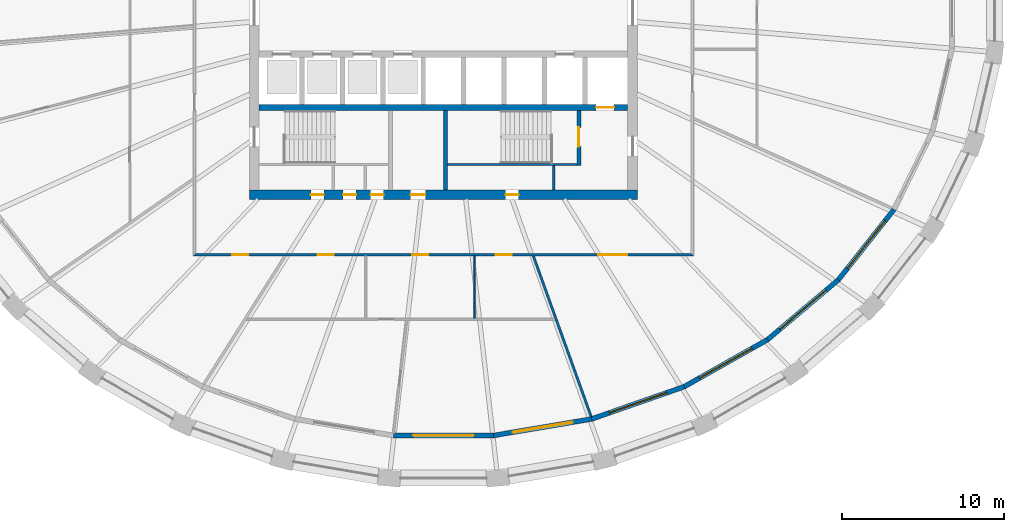
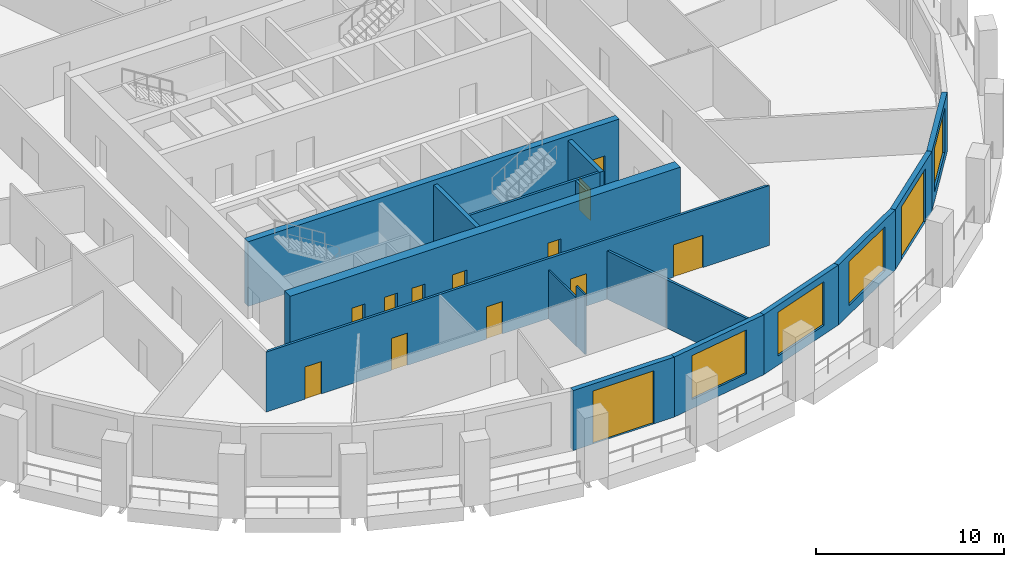
# One storey, part 4 of 11: 16 walls, 14 doors, 4 windows, 18 openings.
"""IFC4 building model written with IfcOpenShell, lengths in metres."""

import ifcopenshell
import ifcopenshell.guid

model = None  # the IFC model being written
_history = None  # IfcOwnerHistory: only IFC2X3 demands one
_inside = {}  # id of a spatial element -> (the spatial element, [elements in it])
_under = {}  # id of a project, library or spatial element -> (it, [spatial elements below it])
_declared = {}  # id of a project -> (the project, [libraries it declares])
_typed = {}  # id of a type object -> (the type object, [elements of that type])
_made_of = {}  # id of a material, layer set ... -> (it, [elements and type objects made of it])


def new_model(schema):
    """Start an empty IFC model of exactly this schema.

    Asked for "IFC4X3", IfcOpenShell would pick the latest addendum, in which some entities
    have other attributes; the version numbers below select the first issue.
    IFC2X3 requires an IfcOwnerHistory on every rooted entity: one is made here for all.
    """
    global model, _history
    if schema == "IFC4X3":
        model = ifcopenshell.file(schema_version=(4, 3, 0, 0))
    else:
        model = ifcopenshell.file(schema=schema)
    _inside.clear()
    _under.clear()
    _declared.clear()
    _typed.clear()
    _made_of.clear()
    _history = None
    if model.schema == "IFC2X3":
        org = make("IfcOrganization", Name="unknown")
        user = make(
            "IfcPersonAndOrganization",
            ThePerson=make("IfcPerson", FamilyName="unknown"),
            TheOrganization=org,
        )
        app = make(
            "IfcApplication",
            ApplicationDeveloper=org,
            Version="unknown",
            ApplicationFullName="unknown",
            ApplicationIdentifier="unknown",
        )
        _history = make(
            "IfcOwnerHistory",
            OwningUser=user,
            OwningApplication=app,
            ChangeAction="ADDED",
            CreationDate=0,
        )
    return model


def make(cls, **values):
    """One entity of the class cls with the attributes given. An attribute that is None is left unset."""
    return model.create_entity(
        cls, **{name: value for name, value in values.items() if value is not None}
    )


def rooted(cls, **values):
    """An entity with a GlobalId (a new one), such as an element, a storey or a relation."""
    return make(cls, GlobalId=ifcopenshell.guid.new(), OwnerHistory=_history, **values)


def si_unit(unit_type, name, prefix=None):
    """IfcSIUnit, for example si_unit("LENGTHUNIT", "METRE", prefix="MILLI")."""
    return make("IfcSIUnit", UnitType=unit_type, Prefix=prefix, Name=name)


def assignment(units):
    """IfcUnitAssignment: the units of a project."""
    return None if units is None else make("IfcUnitAssignment", Units=units)


def point(xyz):
    """IfcCartesianPoint."""
    return None if xyz is None else make("IfcCartesianPoint", Coordinates=xyz)


def direction(xyz):
    """IfcDirection."""
    return None if xyz is None else make("IfcDirection", DirectionRatios=xyz)


def frame(location, z_axis=None, x_axis=None):
    """IfcAxis2Placement3D, a coordinate frame: its origin and axes. An axis left out is left unset."""
    return make(
        "IfcAxis2Placement3D",
        Location=point(location),
        Axis=direction(z_axis),
        RefDirection=direction(x_axis),
    )


def frame_2d(location, x_axis=None):
    """IfcAxis2Placement2D, a coordinate frame in the plane: its origin and x axis."""
    return make(
        "IfcAxis2Placement2D", Location=point(location), RefDirection=direction(x_axis)
    )


def origin():
    """The frame at (0, 0, 0) with its axes left unset."""
    return frame((0.0, 0.0, 0.0))


def place(relative_to, where):
    """IfcLocalPlacement: puts the frame where relative to a parent placement (None: the world)."""
    return make(
        "IfcLocalPlacement", PlacementRelTo=relative_to, RelativePlacement=where
    )


def context(
    kind, dimensions, precision=None, world=None, true_north=None, identifier=None
):
    """IfcGeometricRepresentationContext, for example the 3D "Model" context."""
    return make(
        "IfcGeometricRepresentationContext",
        ContextIdentifier=identifier,
        ContextType=kind,
        CoordinateSpaceDimension=dimensions,
        Precision=precision,
        WorldCoordinateSystem=world,
        TrueNorth=true_north,
    )


def subcontext(parent, identifier, kind, view, scale=None):
    """IfcGeometricRepresentationSubContext, for example "Body" below "Model"."""
    return make(
        "IfcGeometricRepresentationSubContext",
        ContextIdentifier=identifier,
        ContextType=kind,
        ParentContext=parent,
        TargetScale=scale,
        TargetView=view,
    )


def project(units=None, contexts=None):
    """IfcProject with its units and contexts."""
    return rooted(
        "IfcProject",
        Name="project",
        RepresentationContexts=contexts,
        UnitsInContext=assignment(units),
    )


def spatial(cls, under=None, at=None, **own):
    """A site, building, storey or space (cls), placed at a placement, below another one or the project."""
    s = rooted(cls, ObjectPlacement=at, **own)
    if under is not None:
        _under.setdefault(under.id(), (under, []))[1].append(s)
    return s


def polyline(points):
    """IfcPolyline through the points."""
    return make("IfcPolyline", Points=[point(p) for p in points])


def profile(cls, at=None, kind="AREA", **sizes):
    """A parametric profile (cls). Its sizes go by their IFC names, for example OverallWidth=200.0."""
    return make(cls, ProfileType=kind, Position=at, **sizes)


def rectangle(**sizes):
    """IfcRectangleProfileDef."""
    return profile("IfcRectangleProfileDef", **sizes)


def outline(outer, holes=None, kind="AREA"):
    """IfcArbitraryClosedProfileDef: a profile drawn as a closed curve; with holes, ...WithVoids."""
    if holes is None:
        return make("IfcArbitraryClosedProfileDef", ProfileType=kind, OuterCurve=outer)
    return make(
        "IfcArbitraryProfileDefWithVoids",
        ProfileType=kind,
        OuterCurve=outer,
        InnerCurves=holes,
    )


def extrude(swept, where, along, depth):
    """IfcExtrudedAreaSolid: the profile swept, set in the frame where, extruded along a direction by depth."""
    return make(
        "IfcExtrudedAreaSolid",
        SweptArea=swept,
        Position=where,
        ExtrudedDirection=direction(along),
        Depth=depth,
    )


def shape(context_of_items, identifier, shape_type, items):
    """IfcShapeRepresentation: the items that make up one representation, for example the "Body"."""
    return make(
        "IfcShapeRepresentation",
        ContextOfItems=context_of_items,
        RepresentationIdentifier=identifier,
        RepresentationType=shape_type,
        Items=items,
    )


def material(Name=None, Category=None):
    """IfcMaterial."""
    return make("IfcMaterial", Name=Name, Category=Category)


def layer(
    of_material, thickness, ventilated=None, Name=None, Category=None, Priority=None
):
    """IfcMaterialLayer: one layer of a wall or slab, of a material (None: an air gap)."""
    return make(
        "IfcMaterialLayer",
        Material=of_material,
        LayerThickness=thickness,
        IsVentilated=ventilated,
        Name=Name,
        Category=Category,
        Priority=Priority,
    )


def layer_set(layers, Name=None):
    """IfcMaterialLayerSet."""
    return make("IfcMaterialLayerSet", MaterialLayers=layers, LayerSetName=Name)


def made_of(thing, what):
    """Note that an element or type object is made of a material, layer set ...; save() writes the relation."""
    if what is not None:
        _made_of.setdefault(what.id(), (what, []))[1].append(thing)
    return thing


def type_object(cls, material=None, **own):
    """A type object (cls), such as IfcWallType, which elements share."""
    return made_of(rooted(cls, **own), material)


def element(
    cls,
    number,
    at=None,
    inside=None,
    cuts=None,
    type_object=None,
    material=None,
    context=None,
    identifier="Body",
    shape_type=None,
    held_by="IfcProductDefinitionShape",
    body=None,
    shapes=None,
    **own,
):
    """One element of the class cls, such as IfcWall. Its Tag is "e" and its number.

    at: its placement. inside: the storey or other place that contains it. cuts: it is an
    opening in that element (IfcRelVoidsElement). A single representation is given by context,
    identifier, shape_type and body (its items); several are given by shapes. held_by: the class
    of the entity that holds the representations. save() writes the other relations.
    """
    e = rooted(cls, Tag="e%d" % number, ObjectPlacement=at, **own)
    if body is not None:
        shapes = [shape(context, identifier, shape_type, body)]
    if shapes is not None:
        e.Representation = make(held_by, Representations=shapes)
    if inside is not None:
        _inside.setdefault(inside.id(), (inside, []))[1].append(e)
    if cuts is not None:
        rooted(
            "IfcRelVoidsElement", RelatingBuildingElement=cuts, RelatedOpeningElement=e
        )
    if type_object is not None:
        _typed.setdefault(type_object.id(), (type_object, []))[1].append(e)
    return made_of(e, material)


def fill(opening, filler):
    """IfcRelFillsElement: the door or window that sits in an opening."""
    return rooted(
        "IfcRelFillsElement",
        RelatingOpeningElement=opening,
        RelatedBuildingElement=filler,
    )


def aggregate(whole, parts):
    """IfcRelAggregates: a whole, such as a stair, and the parts it consists of."""
    return rooted("IfcRelAggregates", RelatingObject=whole, RelatedObjects=parts)


def save(model, path):
    """Write the relations noted so far, then the file.

    IfcRelAggregates (storeys below a building ...), IfcRelContainedInSpatialStructure (elements
    in a storey), IfcRelDefinesByType, IfcRelAssociatesMaterial and IfcRelDeclares: one each for
    every whole, place, type object, material and project.
    """
    for whole, parts in _under.values():
        aggregate(whole, parts)
    for where, things in _inside.values():
        rooted(
            "IfcRelContainedInSpatialStructure",
            RelatedElements=things,
            RelatingStructure=where,
        )
    for kind, things in _typed.values():
        rooted("IfcRelDefinesByType", RelatedObjects=things, RelatingType=kind)
    for what, things in _made_of.values():
        rooted("IfcRelAssociatesMaterial", RelatedObjects=things, RelatingMaterial=what)
    for by, libraries in _declared.values():
        rooted("IfcRelDeclares", RelatingContext=by, RelatedDefinitions=libraries)
    model.write(path)


model = new_model("IFC4")

# Units and contexts
model_context = context("Model", 3, precision=1e-05, world=origin(), true_north=direction((0.0, 1.0)))
body_context = subcontext(model_context, "Body", "Model", "MODEL_VIEW")
ifc_project = project(units=[si_unit("LENGTHUNIT", "METRE"), si_unit("AREAUNIT", "SQUARE_METRE"), si_unit("VOLUMEUNIT", "CUBIC_METRE"), si_unit("PLANEANGLEUNIT", "RADIAN"), si_unit("MASSUNIT", "GRAM", prefix="KILO")], contexts=[model_context])

# Site, building, storey
site_placement = place(None, origin())
site = spatial("IfcSite", under=ifc_project, at=site_placement, CompositionType="ELEMENT")
building_placement = place(site_placement, origin())
building = spatial("IfcBuilding", under=site, at=building_placement, Name="Halqa Exchange Tower", CompositionType="ELEMENT")
storey_placement = place(building_placement, frame((0.0, 0.0, 142.300048828125)))
storey = spatial("IfcBuildingStorey", under=building, at=storey_placement, Name="L32", CompositionType="ELEMENT", Elevation=142.300048828125)

# Wall, openings, doors
ifc_material_1 = material(Name="Fire-rated gypsum board")
ifc_layer_1 = layer(ifc_material_1, 0.14990234375)
ifc_layer_set_1 = layer_set([ifc_layer_1], Name="Fire-rated gypsum board")
wall_type_1 = type_object("IfcWallType", Name="Fire partition EI 60 150", PredefinedType="PARTITIONING", material=ifc_layer_set_1)
wall_1_placement = place(storey_placement, frame((-15.47509765625, -15.39990234375, 0.0), z_axis=(0.0, 0.0, 1.0), x_axis=(1.0, 0.0, 0.0)))
wall_1 = element("IfcWall", 1, at=wall_1_placement, inside=storey, type_object=wall_type_1, Name="L32-PWL-008", PredefinedType="PARTITIONING", context=body_context, shape_type="SweptSolid", body=[
    extrude(outline(polyline([(0.000244140625, -0.074951171875), (1.9345703125, -0.074951171875), (3.868896484375, -0.074951171875), (5.80322265625, -0.074951171875), (7.73779296875, -0.074951171875), (9.672119140625, -0.074951171875), (11.6064453125, -0.074951171875), (13.540771484375, -0.074951171875), (15.47509765625, -0.074951171875), (17.409423828125, -0.074951171875), (19.34375, -0.074951171875), (21.278076171875, -0.074951171875), (23.21240234375, -0.074951171875), (25.14697265625, -0.074951171875), (27.081298828125, -0.074951171875), (29.015625, -0.074951171875), (30.949951171875, -0.074951171875), (30.800048828125, 0.074951171875), (28.884521484375, 0.074951171875), (26.96875, 0.074951171875), (25.05322265625, 0.074951171875), (23.1376953125, 0.074951171875), (21.221923828125, 0.074951171875), (19.306396484375, 0.074951171875), (17.390625, 0.074951171875), (15.47509765625, 0.074951171875), (13.5595703125, 0.074951171875), (11.643798828125, 0.074951171875), (9.728271484375, 0.074951171875), (7.8125, 0.074951171875), (5.89697265625, 0.074951171875), (3.9814453125, 0.074951171875), (2.065673828125, 0.074951171875), (0.150146484375, 0.074951171875), (0.000244140625, -0.074951171875)])), origin(), (0.0, 0.0, 1.0), 3.89990234375),
])
opening_1_placement = place(wall_1_placement, frame((2.39990234375, 0.0, 0.0)))
opening_1 = element("IfcOpeningElement", 2, at=opening_1_placement, cuts=wall_1, Name="Opening 10-11", PredefinedType="OPENING", context=body_context, shape_type="SweptSolid", body=[
    extrude(rectangle(XDim=1.0, YDim=2.10009765625, at=frame_2d((0.5, 1.050048828125))), frame((0.0, 0.0869140625, 0.0), z_axis=(0.0, -1.0, 0.0), x_axis=(1.0, 0.0, 0.0)), (0.0, 0.0, 1.0), 0.173828125),
])
opening_2_placement = place(wall_1_placement, frame((18.705078125, 0.0, 0.0)))
opening_2 = element("IfcOpeningElement", 3, at=opening_2_placement, cuts=wall_1, Name="Opening 10-12", PredefinedType="OPENING", context=body_context, shape_type="SweptSolid", body=[
    extrude(rectangle(XDim=1.0, YDim=2.10009765625, at=frame_2d((0.5, 1.050048828125))), frame((0.0, 0.0869140625, 0.0), z_axis=(0.0, -1.0, 0.0), x_axis=(1.0, 0.0, 0.0)), (0.0, 0.0, 1.0), 0.173828125),
])
opening_3_placement = place(wall_1_placement, frame((13.534912109375, 0.0, 0.0)))
opening_3 = element("IfcOpeningElement", 4, at=opening_3_placement, cuts=wall_1, Name="Opening 10-13", PredefinedType="OPENING", context=body_context, shape_type="SweptSolid", body=[
    extrude(rectangle(XDim=1.0, YDim=2.10009765625, at=frame_2d((0.5, 1.050048828125))), frame((0.0, 0.0869140625, 0.0), z_axis=(0.0, -1.0, 0.0), x_axis=(1.0, 0.0, 0.0)), (0.0, 0.0, 1.0), 0.173828125),
])
opening_4_placement = place(wall_1_placement, frame((7.695068359375, 0.0, 0.0)))
opening_4 = element("IfcOpeningElement", 5, at=opening_4_placement, cuts=wall_1, Name="Opening 10-14", PredefinedType="OPENING", context=body_context, shape_type="SweptSolid", body=[
    extrude(rectangle(XDim=1.0, YDim=2.10009765625, at=frame_2d((0.5, 1.050048828125))), frame((0.0, 0.0869140625, 0.0), z_axis=(0.0, -1.0, 0.0), x_axis=(1.0, 0.0, 0.0)), (0.0, 0.0, 1.0), 0.173828125),
])
opening_5_placement = place(wall_1_placement, frame((25.0400390625, 0.0, 0.0)))
opening_5 = element("IfcOpeningElement", 6, at=opening_5_placement, cuts=wall_1, Name="Opening 10-15", PredefinedType="OPENING", context=body_context, shape_type="SweptSolid", body=[
    extrude(rectangle(XDim=1.800048828125, YDim=2.10009765625, at=frame_2d((0.89990234375, 1.050048828125))), frame((0.0, 0.0869140625, 0.0), z_axis=(0.0, -1.0, 0.0), x_axis=(1.0, 0.0, 0.0)), (0.0, 0.0, 1.0), 0.173828125),
])
ifc_material_2 = material(Name="Steel fire door leaf", Category="steel")
door_type_1 = type_object("IfcDoorType", Name="Fire door FD30S 1000 x 2100", OperationType="SINGLE_SWING_LEFT", PredefinedType="DOOR", material=ifc_material_2)
door_1_placement = place(opening_1_placement, frame((1.0, 0.0, 0.0), z_axis=(0.0, 0.0, 1.0), x_axis=(-1.0, 0.0, 0.0)))
door_1 = element("IfcDoor", 7, at=door_1_placement, inside=storey, type_object=door_type_1, Name="L32-IDR-011", OperationType="SINGLE_SWING_RIGHT", OverallHeight=2.10009765625, OverallWidth=1.0, PredefinedType="DOOR", context=body_context, shape_type="SweptSolid", body=[
    extrude(rectangle(XDim=1.0, YDim=2.10009765625, at=frame_2d((0.5, 1.050048828125))), frame((0.0, 0.02490234375, 0.0), z_axis=(0.0, -1.0, 0.0), x_axis=(1.0, 0.0, 0.0)), (0.0, 0.0, 1.0), 0.050048828125),
])
fill(opening_1, door_1)
door_2_placement = place(opening_2_placement, frame((1.0, 0.0, 0.0), z_axis=(0.0, 0.0, 1.0), x_axis=(-1.0, 0.0, 0.0)))
door_2 = element("IfcDoor", 8, at=door_2_placement, inside=storey, type_object=door_type_1, Name="L32-IDR-012", OperationType="SINGLE_SWING_RIGHT", OverallHeight=2.10009765625, OverallWidth=1.0, PredefinedType="DOOR", context=body_context, shape_type="SweptSolid", body=[
    extrude(rectangle(XDim=1.0, YDim=2.10009765625, at=frame_2d((0.5, 1.050048828125))), frame((0.0, 0.02490234375, 0.0), z_axis=(0.0, -1.0, 0.0), x_axis=(1.0, 0.0, 0.0)), (0.0, 0.0, 1.0), 0.050048828125),
])
fill(opening_2, door_2)
door_3_placement = place(opening_3_placement, frame((1.0, 0.0, 0.0), z_axis=(0.0, 0.0, 1.0), x_axis=(-1.0, 0.0, 0.0)))
door_3 = element("IfcDoor", 9, at=door_3_placement, inside=storey, type_object=door_type_1, Name="L32-IDR-013", OperationType="SINGLE_SWING_RIGHT", OverallHeight=2.10009765625, OverallWidth=1.0, PredefinedType="DOOR", context=body_context, shape_type="SweptSolid", body=[
    extrude(rectangle(XDim=1.0, YDim=2.10009765625, at=frame_2d((0.5, 1.050048828125))), frame((0.0, 0.02490234375, 0.0), z_axis=(0.0, -1.0, 0.0), x_axis=(1.0, 0.0, 0.0)), (0.0, 0.0, 1.0), 0.050048828125),
])
fill(opening_3, door_3)
door_4_placement = place(opening_4_placement, frame((1.0, 0.0, 0.0), z_axis=(0.0, 0.0, 1.0), x_axis=(-1.0, 0.0, 0.0)))
door_4 = element("IfcDoor", 10, at=door_4_placement, inside=storey, type_object=door_type_1, Name="L32-IDR-014", OperationType="SINGLE_SWING_LEFT", OverallHeight=2.10009765625, OverallWidth=1.0, PredefinedType="DOOR", context=body_context, shape_type="SweptSolid", body=[
    extrude(rectangle(XDim=1.0, YDim=2.10009765625, at=frame_2d((0.5, 1.050048828125))), frame((0.0, 0.02490234375, 0.0), z_axis=(0.0, -1.0, 0.0), x_axis=(1.0, 0.0, 0.0)), (0.0, 0.0, 1.0), 0.050048828125),
])
fill(opening_4, door_4)
door_type_2 = type_object("IfcDoorType", Name="Fire door FD30S double 1800 x 2100", OperationType="DOUBLE_DOOR_SINGLE_SWING", PredefinedType="DOOR", material=ifc_material_2)
door_5_placement = place(opening_5_placement, frame((1.800048828125, 0.0, 0.0), z_axis=(0.0, 0.0, 1.0), x_axis=(-1.0, 0.0, 0.0)))
door_5 = element("IfcDoor", 11, at=door_5_placement, inside=storey, type_object=door_type_2, Name="L32-IDR-015", OperationType="DOUBLE_DOOR_SINGLE_SWING", OverallHeight=2.10009765625, OverallWidth=1.800048828125, PredefinedType="DOOR", context=body_context, shape_type="SweptSolid", body=[
    extrude(rectangle(XDim=1.800048828125, YDim=2.10009765625, at=frame_2d((0.89990234375, 1.050048828125))), frame((0.0, 0.02490234375, 0.0), z_axis=(0.0, -1.0, 0.0), x_axis=(1.0, 0.0, 0.0)), (0.0, 0.0, 1.0), 0.050048828125),
])
fill(opening_5, door_5)

# Walls
wall_2_placement = place(storey_placement, frame((5.5478515625, -15.449951171875, 0.0), z_axis=(0.0, 0.0, 1.0), x_axis=(0.338602834386, -0.940929391902, 0.0)))
element("IfcWall", 12, at=wall_2_placement, inside=storey, type_object=wall_type_1, Name="L32-PWL-021", PredefinedType="PARTITIONING", context=body_context, shape_type="SweptSolid", body=[
    extrude(outline(polyline([(0.0, -0.074951171875), (1.37255859375, -0.074951171875), (2.745361328125, -0.074951171875), (4.117919921875, -0.074951171875), (4.130126953125, -0.041259765625), (4.2236328125, -0.074951171875), (5.814453125, -0.074951171875), (7.405029296875, -0.074951171875), (8.995849609375, -0.074951171875), (10.58642578125, -0.074951171875), (10.599365234375, -0.003662109375), (10.599853515625, 0.048095703125), (10.599853515625, 0.074951171875), (8.842041015625, 0.074951171875), (7.08447265625, 0.074951171875), (5.32666015625, 0.074951171875), (3.569091796875, 0.074951171875), (1.811279296875, 0.074951171875), (0.0537109375, 0.074951171875), (0.0, -0.073974609375), (0.0, -0.074951171875)])), origin(), (0.0, 0.0, 1.0), 3.14697265625),
])
ifc_material_3 = material(Name="Gypsum board")
ifc_layer_2 = layer(ifc_material_3, 0.10009765625)
ifc_layer_set_2 = layer_set([ifc_layer_2], Name="Gypsum board")
wall_type_2 = type_object("IfcWallType", Name="Partition 100 gypsum", PredefinedType="PARTITIONING", material=ifc_layer_set_2)
wall_3_placement = place(storey_placement, frame((1.929931640625, -19.35009765625, 0.0), z_axis=(0.0, 0.0, 1.0), x_axis=(0.0, 1.0, 0.0)))
element("IfcWall", 13, at=wall_3_placement, inside=storey, type_object=wall_type_2, Name="L32-PWL-018", PredefinedType="PARTITIONING", context=body_context, shape_type="SweptSolid", body=[
    extrude(rectangle(XDim=0.93798828125, YDim=0.10009765625, at=frame_2d((0.468994140625, 0.0))), origin(), (0.0, 0.0, 1.0), 3.89990234375),
])
wall_4_placement = place(storey_placement, frame((1.929931640625, -18.412109375, 0.0), z_axis=(0.0, 0.0, 1.0), x_axis=(0.0, 1.0, 0.0)))
element("IfcWall", 14, at=wall_4_placement, inside=storey, type_object=wall_type_2, Name="L32-PWL-030", PredefinedType="PARTITIONING", context=body_context, shape_type="SweptSolid", body=[
    extrude(rectangle(XDim=2.93701171875, YDim=0.10009765625, at=frame_2d((1.468505859375, 0.0))), origin(), (0.0, 0.0, 1.0), 3.14697265625),
])
ifc_layer_3 = layer(ifc_material_3, 0.14990234375)
ifc_layer_set_3 = layer_set([ifc_layer_3], Name="Gypsum board")
wall_type_3 = type_object("IfcWallType", Name="Penthouse riser wall 150 gypsum", PredefinedType="PARTITIONING", material=ifc_layer_set_3)
wall_5_placement = place(storey_placement, frame((6.824951171875, -11.39990234375, 0.0), z_axis=(0.0, 0.0, 1.0), x_axis=(0.0, 1.0, 0.0)))
element("IfcWall", 15, at=wall_5_placement, inside=storey, type_object=wall_type_3, Name="Firefighting lobby west wall S", PredefinedType="PARTITIONING", context=body_context, shape_type="SweptSolid", body=[
    extrude(rectangle(XDim=1.5, YDim=0.14990234375, at=frame_2d((0.75, 0.0))), origin(), (0.0, 0.0, 1.0), 3.89990234375),
])

# Wall, opening, door
ifc_material_4 = material(Name="Concrete C70/85", Category="concrete")
ifc_layer_4 = layer(ifc_material_4, 0.39990234375)
ifc_layer_set_4 = layer_set([ifc_layer_4], Name="Concrete C70/85")
wall_type_4 = type_object("IfcWallType", Name="RC core wall 400 C70/85", PredefinedType="SHEAR", material=ifc_layer_set_4)
wall_6_placement = place(storey_placement, frame((-11.39990234375, -6.300048828125, 0.0), z_axis=(0.0, 0.0, 1.0), x_axis=(1.0, 0.0, 0.0)))
wall_6 = element("IfcWall", 16, at=wall_6_placement, inside=storey, type_object=wall_type_4, Name="Lift row back wall S", PredefinedType="SHEAR", context=body_context, shape_type="SweptSolid", body=[
    extrude(rectangle(XDim=22.7998046875, YDim=0.39990234375, at=frame_2d((11.39990234375, 0.0))), origin(), (0.0, 0.0, 1.0), 4.199951171875),
])
opening_6_placement = place(wall_6_placement, frame((20.85009765625, 0.0, 0.0)))
opening_6 = element("IfcOpeningElement", 17, at=opening_6_placement, cuts=wall_6, Name="Opening LD-FF2-T10", PredefinedType="OPENING", context=body_context, shape_type="SweptSolid", body=[
    extrude(rectangle(XDim=1.10009765625, YDim=2.10009765625, at=frame_2d((0.550048828125, 1.050048828125))), frame((0.0, 0.2119140625, 0.0), z_axis=(0.0, -1.0, 0.0), x_axis=(1.0, 0.0, 0.0)), (0.0, 0.0, 1.0), 0.423828125),
])
ifc_material_5 = material(Name="Stainless steel", Category="steel")
door_type_3 = type_object("IfcDoorType", Name="Lift landing door 1100 x 2100", OperationType="SLIDING_TO_LEFT", PredefinedType="DOOR", material=ifc_material_5)
door_6_placement = place(opening_6_placement, origin())
door_6 = element("IfcDoor", 18, at=door_6_placement, inside=storey, type_object=door_type_3, Name="Lift landing door FF2", OperationType="SLIDING_TO_LEFT", OverallHeight=2.10009765625, OverallWidth=1.10009765625, PredefinedType="DOOR", context=body_context, shape_type="SweptSolid", body=[
    extrude(rectangle(XDim=1.10009765625, YDim=2.10009765625, at=frame_2d((0.550048828125, 1.050048828125))), frame((0.0, 0.02490234375, 0.0), z_axis=(0.0, -1.0, 0.0), x_axis=(1.0, 0.0, 0.0)), (0.0, 0.0, 1.0), 0.050048828125),
])
fill(opening_6, door_6)

# Wall, openings, doors
ifc_layer_5 = layer(ifc_material_4, 0.60009765625)
ifc_layer_set_5 = layer_set([ifc_layer_5], Name="Concrete C70/85")
wall_type_5 = type_object("IfcWallType", Name="RC core wall 600 C70/85", PredefinedType="SHEAR", material=ifc_layer_set_5)
wall_7_placement = place(storey_placement, frame((-12.0, -11.699951171875, 0.0), z_axis=(0.0, 0.0, 1.0), x_axis=(1.0, 0.0, 0.0)))
wall_7 = element("IfcWall", 19, at=wall_7_placement, inside=storey, type_object=wall_type_5, Name="Core wall south", PredefinedType="SHEAR", context=body_context, shape_type="SweptSolid", body=[
    extrude(rectangle(XDim=24.0, YDim=0.60009765625, at=frame_2d((12.0, 0.0))), origin(), (0.0, 0.0, 1.0), 4.199951171875),
])
opening_7_placement = place(wall_7_placement, frame((9.97509765625, 0.0, 0.0)))
opening_7 = element("IfcOpeningElement", 20, at=opening_7_placement, cuts=wall_7, Name="Opening T10-C26", PredefinedType="OPENING", context=body_context, shape_type="SweptSolid", body=[
    extrude(rectangle(XDim=0.89990234375, YDim=2.10009765625, at=frame_2d((0.449951171875, 1.050048828125))), frame((0.0, 0.31201171875, 0.0), z_axis=(0.0, -1.0, 0.0), x_axis=(1.0, 0.0, 0.0)), (0.0, 0.0, 1.0), 0.6240234375),
])
opening_8_placement = place(wall_7_placement, frame((3.800048828125, 0.0, 0.0)))
opening_8 = element("IfcOpeningElement", 21, at=opening_8_placement, cuts=wall_7, Name="Opening T10-C27", PredefinedType="OPENING", context=body_context, shape_type="SweptSolid", body=[
    extrude(rectangle(XDim=0.800048828125, YDim=2.10009765625, at=frame_2d((0.39990234375, 1.050048828125))), frame((0.0, 0.31201171875, 0.0), z_axis=(0.0, -1.0, 0.0), x_axis=(1.0, 0.0, 0.0)), (0.0, 0.0, 1.0), 0.6240234375),
])
opening_9_placement = place(wall_7_placement, frame((5.800048828125, 0.0, 0.0)))
opening_9 = element("IfcOpeningElement", 22, at=opening_9_placement, cuts=wall_7, Name="Opening T10-C28", PredefinedType="OPENING", context=body_context, shape_type="SweptSolid", body=[
    extrude(rectangle(XDim=0.800048828125, YDim=2.10009765625, at=frame_2d((0.39990234375, 1.050048828125))), frame((0.0, 0.31201171875, 0.0), z_axis=(0.0, -1.0, 0.0), x_axis=(1.0, 0.0, 0.0)), (0.0, 0.0, 1.0), 0.6240234375),
])
opening_10_placement = place(wall_7_placement, frame((7.5, 0.0, 0.0)))
opening_10 = element("IfcOpeningElement", 23, at=opening_10_placement, cuts=wall_7, Name="Opening T10-C29", PredefinedType="OPENING", context=body_context, shape_type="SweptSolid", body=[
    extrude(rectangle(XDim=0.800048828125, YDim=2.10009765625, at=frame_2d((0.39990234375, 1.050048828125))), frame((0.0, 0.31201171875, 0.0), z_axis=(0.0, -1.0, 0.0), x_axis=(1.0, 0.0, 0.0)), (0.0, 0.0, 1.0), 0.6240234375),
])
opening_11_placement = place(wall_7_placement, frame((15.85009765625, 0.0, 0.0)))
opening_11 = element("IfcOpeningElement", 24, at=opening_11_placement, cuts=wall_7, Name="Opening T10-C30", PredefinedType="OPENING", context=body_context, shape_type="SweptSolid", body=[
    extrude(rectangle(XDim=0.800048828125, YDim=2.10009765625, at=frame_2d((0.39990234375, 1.050048828125))), frame((0.0, 0.31201171875, 0.0), z_axis=(0.0, -1.0, 0.0), x_axis=(1.0, 0.0, 0.0)), (0.0, 0.0, 1.0), 0.6240234375),
])
ifc_material_6 = material(Name="Timber fire door leaf", Category="wood")
door_type_4 = type_object("IfcDoorType", Name="Core room door FD30 900 x 2100", OperationType="SINGLE_SWING_LEFT", PredefinedType="DOOR", material=ifc_material_6)
door_7_placement = place(opening_7_placement, origin())
door_7 = element("IfcDoor", 25, at=door_7_placement, inside=storey, type_object=door_type_4, Name="Core room door", OperationType="SINGLE_SWING_RIGHT", OverallHeight=2.10009765625, OverallWidth=0.89990234375, PredefinedType="DOOR", context=body_context, shape_type="SweptSolid", body=[
    extrude(rectangle(XDim=0.89990234375, YDim=2.10009765625, at=frame_2d((0.449951171875, 1.050048828125))), frame((0.0, 0.02490234375, 0.0), z_axis=(0.0, -1.0, 0.0), x_axis=(1.0, 0.0, 0.0)), (0.0, 0.0, 1.0), 0.050048828125),
])
fill(opening_7, door_7)
door_type_5 = type_object("IfcDoorType", Name="Riser door FD60 800 x 2100", OperationType="SINGLE_SWING_LEFT", PredefinedType="DOOR", material=ifc_material_2)
door_8_placement = place(opening_8_placement, origin())
door_8 = element("IfcDoor", 26, at=door_8_placement, inside=storey, type_object=door_type_5, Name="Core room door", OperationType="SINGLE_SWING_LEFT", OverallHeight=2.10009765625, OverallWidth=0.800048828125, PredefinedType="DOOR", context=body_context, shape_type="SweptSolid", body=[
    extrude(rectangle(XDim=0.800048828125, YDim=2.10009765625, at=frame_2d((0.39990234375, 1.050048828125))), frame((0.0, 0.02490234375, 0.0), z_axis=(0.0, -1.0, 0.0), x_axis=(1.0, 0.0, 0.0)), (0.0, 0.0, 1.0), 0.050048828125),
])
fill(opening_8, door_8)
door_9_placement = place(opening_9_placement, origin())
door_9 = element("IfcDoor", 27, at=door_9_placement, inside=storey, type_object=door_type_5, Name="Core room door", OperationType="SINGLE_SWING_LEFT", OverallHeight=2.10009765625, OverallWidth=0.800048828125, PredefinedType="DOOR", context=body_context, shape_type="SweptSolid", body=[
    extrude(rectangle(XDim=0.800048828125, YDim=2.10009765625, at=frame_2d((0.39990234375, 1.050048828125))), frame((0.0, 0.02490234375, 0.0), z_axis=(0.0, -1.0, 0.0), x_axis=(1.0, 0.0, 0.0)), (0.0, 0.0, 1.0), 0.050048828125),
])
fill(opening_9, door_9)
door_10_placement = place(opening_10_placement, origin())
door_10 = element("IfcDoor", 28, at=door_10_placement, inside=storey, type_object=door_type_5, Name="Core room door", OperationType="SINGLE_SWING_LEFT", OverallHeight=2.10009765625, OverallWidth=0.800048828125, PredefinedType="DOOR", context=body_context, shape_type="SweptSolid", body=[
    extrude(rectangle(XDim=0.800048828125, YDim=2.10009765625, at=frame_2d((0.39990234375, 1.050048828125))), frame((0.0, 0.02490234375, 0.0), z_axis=(0.0, -1.0, 0.0), x_axis=(1.0, 0.0, 0.0)), (0.0, 0.0, 1.0), 0.050048828125),
])
fill(opening_10, door_10)
door_11_placement = place(opening_11_placement, origin())
door_11 = element("IfcDoor", 29, at=door_11_placement, inside=storey, type_object=door_type_5, Name="Core room door", OperationType="SINGLE_SWING_LEFT", OverallHeight=2.10009765625, OverallWidth=0.800048828125, PredefinedType="DOOR", context=body_context, shape_type="SweptSolid", body=[
    extrude(rectangle(XDim=0.800048828125, YDim=2.10009765625, at=frame_2d((0.39990234375, 1.050048828125))), frame((0.0, 0.02490234375, 0.0), z_axis=(0.0, -1.0, 0.0), x_axis=(1.0, 0.0, 0.0)), (0.0, 0.0, 1.0), 0.050048828125),
])
fill(opening_11, door_11)

# Walls
ifc_material_7 = material(Name="Concrete C30/37", Category="concrete")
ifc_layer_6 = layer(ifc_material_7, 0.14990234375)
ifc_layer_set_6 = layer_set([ifc_layer_6], Name="Concrete C30/37")
wall_type_6 = type_object("IfcWallType", Name="RC stair wall 150 C30/37", PredefinedType="SHEAR", material=ifc_layer_set_6)
wall_8_placement = place(storey_placement, frame((0.25, -9.824951171875, 0.0), z_axis=(0.0, 0.0, 1.0), x_axis=(1.0, 0.0, 0.0)))
element("IfcWall", 30, at=wall_8_placement, inside=storey, type_object=wall_type_6, Name="Stair ST2 north wall S", PredefinedType="SHEAR", context=body_context, shape_type="SweptSolid", body=[
    extrude(rectangle(XDim=8.0, YDim=0.14990234375, at=frame_2d((4.0, 0.0))), origin(), (0.0, 0.0, 1.0), 3.89990234375),
])
ifc_layer_7 = layer(ifc_material_7, 0.25)
ifc_layer_set_7 = layer_set([ifc_layer_7], Name="Concrete C30/37")
wall_type_7 = type_object("IfcWallType", Name="RC stair wall 250 C30/37", PredefinedType="SHEAR", material=ifc_layer_set_7)
wall_9_placement = place(storey_placement, frame((0.125, -11.39990234375, 0.0), z_axis=(0.0, 0.0, 1.0), x_axis=(0.0, 1.0, 0.0)))
element("IfcWall", 31, at=wall_9_placement, inside=storey, type_object=wall_type_7, Name="Stair ST2 west wall S", PredefinedType="SHEAR", context=body_context, shape_type="SweptSolid", body=[
    extrude(rectangle(XDim=4.89990234375, YDim=0.25, at=frame_2d((2.449951171875, 0.0))), origin(), (0.0, 0.0, 1.0), 3.89990234375),
])

# Wall, opening, door
wall_10_placement = place(storey_placement, frame((8.375, -9.89990234375, 0.0), z_axis=(0.0, 0.0, 1.0), x_axis=(0.0, 1.0, 0.0)))
wall_10 = element("IfcWall", 32, at=wall_10_placement, inside=storey, type_object=wall_type_7, Name="Stair ST2 east wall S", PredefinedType="SHEAR", context=body_context, shape_type="SweptSolid", body=[
    extrude(rectangle(XDim=3.39990234375, YDim=0.25, at=frame_2d((1.699951171875, 0.0))), origin(), (0.0, 0.0, 1.0), 3.89990234375),
])
opening_12_placement = place(wall_10_placement, frame((1.175048828125, 0.0, 0.0)))
opening_12 = element("IfcOpeningElement", 33, at=opening_12_placement, cuts=wall_10, Name="Opening T10-C18", PredefinedType="OPENING", context=body_context, shape_type="SweptSolid", body=[
    extrude(rectangle(XDim=1.199951171875, YDim=2.10009765625, at=frame_2d((0.60009765625, 1.050048828125))), frame((0.0, 0.136962890625, 0.0), z_axis=(0.0, -1.0, 0.0), x_axis=(1.0, 0.0, 0.0)), (0.0, 0.0, 1.0), 0.27392578125),
])
door_type_6 = type_object("IfcDoorType", Name="Stair door FD90 1200 x 2100", OperationType="SINGLE_SWING_LEFT", PredefinedType="DOOR", material=ifc_material_2)
door_12_placement = place(opening_12_placement, origin())
door_12 = element("IfcDoor", 34, at=door_12_placement, inside=storey, type_object=door_type_6, Name="Stair door ST4", OperationType="SINGLE_SWING_RIGHT", OverallHeight=2.10009765625, OverallWidth=1.199951171875, PredefinedType="DOOR", context=body_context, shape_type="SweptSolid", body=[
    extrude(rectangle(XDim=1.199951171875, YDim=2.10009765625, at=frame_2d((0.60009765625, 1.050048828125))), frame((0.0, 0.02490234375, 0.0), z_axis=(0.0, -1.0, 0.0), x_axis=(1.0, 0.0, 0.0)), (0.0, 0.0, 1.0), 0.050048828125),
])
fill(opening_12, door_12)

ifc_material_8 = material(Name="Limestone cladding", Category="masonry")
ifc_layer_8 = layer(ifc_material_8, 0.0400390625)
ifc_material_9 = material(Name="Ventilated cavity")
ifc_layer_9 = layer(ifc_material_9, 0.030029296875, ventilated=True)
ifc_material_10 = material(Name="Mineral wool insulation")
ifc_layer_10 = layer(ifc_material_10, 0.10009765625)
ifc_layer_11 = layer(ifc_material_7, 0.10009765625)
ifc_material_11 = material(Name="Internal plaster")
ifc_layer_12 = layer(ifc_material_11, 0.030029296875)
ifc_layer_set_8 = layer_set([ifc_layer_8, ifc_layer_9, ifc_layer_10, ifc_layer_11, ifc_layer_12], Name="Stone-faced insulated wall 300")
wall_type_8 = type_object("IfcWallType", Name="Stone-faced insulated wall 300", PredefinedType="STANDARD", material=ifc_layer_set_8)
wall_11_placement = place(storey_placement, frame((-3.096435546875, -26.590576171875, 0.0), z_axis=(0.0, 0.0, 1.0), x_axis=(1.0, 0.0, 0.0)))
wall_11 = element("IfcWall", 35, at=wall_11_placement, inside=storey, type_object=wall_type_8, Name="Glass-line wall 24", PredefinedType="STANDARD", context=body_context, shape_type="SweptSolid", body=[
    extrude(outline(polyline([(-0.012451171875, -0.14990234375), (6.205322265625, -0.14990234375), (6.180419921875, 0.14990234375), (0.012451171875, 0.14990234375), (-0.012451171875, -0.14990234375)])), origin(), (0.0, 0.0, 1.0), 3.89990234375),
])
opening_13_placement = place(wall_11_placement, frame((1.221435546875, 0.0, 0.0)))
opening_13 = element("IfcOpeningElement", 36, at=opening_13_placement, cuts=wall_11, Name="Opening LG-F2-06", PredefinedType="OPENING", context=body_context, shape_type="SweptSolid", body=[
    extrude(rectangle(XDim=3.75, YDim=3.449951171875, at=frame_2d((1.875, 1.72509765625))), frame((0.0, 0.162109375, 0.0), z_axis=(0.0, -1.0, 0.0), x_axis=(1.0, 0.0, 0.0)), (0.0, 0.0, 1.0), 0.323974609375),
])
ifc_material_12 = material(Name="Clear low-emissivity glass in aluminium frame", Category="aluminium")
door_type_7 = type_object("IfcDoorType", Name="Glazed sliding loggia door 3750 x 3450", OperationType="DOUBLE_DOOR_SLIDING", PredefinedType="DOOR", material=ifc_material_12)
door_13_placement = place(opening_13_placement, origin())
door_13 = element("IfcDoor", 37, at=door_13_placement, inside=storey, type_object=door_type_7, Name="Loggia door 6", OperationType="DOUBLE_DOOR_SLIDING", OverallHeight=3.449951171875, OverallWidth=3.75, PredefinedType="DOOR", context=body_context, shape_type="SweptSolid", body=[
    extrude(rectangle(XDim=3.75, YDim=3.449951171875, at=frame_2d((1.875, 1.72509765625))), frame((0.0, 0.02490234375, 0.0), z_axis=(0.0, -1.0, 0.0), x_axis=(1.0, 0.0, 0.0)), (0.0, 0.0, 1.0), 0.050048828125),
])
fill(opening_13, door_13)

# Wall, opening, window
wall_12_placement = place(storey_placement, frame((3.096435546875, -26.590576171875, 0.0), z_axis=(0.0, 0.0, 1.0), x_axis=(0.986186393203, 0.165639360845, 0.0)))
wall_12 = element("IfcWall", 38, at=wall_12_placement, inside=storey, type_object=wall_type_8, Name="Glass-line wall 25", PredefinedType="STANDARD", context=body_context, shape_type="SweptSolid", body=[
    extrude(outline(polyline([(-0.012451171875, -0.14990234375), (6.17236328125, -0.14990234375), (6.14697265625, 0.14990234375), (0.012451171875, 0.14990234375), (-0.012451171875, -0.14990234375)])), origin(), (0.0, 0.0, 1.0), 3.89990234375),
])
opening_14_placement = place(wall_12_placement, frame((1.20458984375, 0.0, 0.60009765625)))
opening_14 = element("IfcOpeningElement", 39, at=opening_14_placement, cuts=wall_12, Name="Opening W-F2-25", PredefinedType="OPENING", context=body_context, shape_type="SweptSolid", body=[
    extrude(rectangle(XDim=3.75, YDim=2.85009765625, at=frame_2d((1.875, 1.425048828125))), frame((0.0, 0.162109375, 0.0), z_axis=(0.0, -1.0, 0.0), x_axis=(1.0, 0.0, 0.0)), (0.0, 0.0, 1.0), 0.323974609375),
])
window_type = type_object("IfcWindowType", Name="Fixed clear glazed window 3750 x 2850", PartitioningType="TRIPLE_PANEL_VERTICAL", PredefinedType="WINDOW", material=ifc_material_12)
window_1_placement = place(opening_14_placement, origin())
window_1 = element("IfcWindow", 40, at=window_1_placement, inside=storey, type_object=window_type, Name="Window 2", OverallHeight=2.85009765625, OverallWidth=3.75, PartitioningType="TRIPLE_PANEL_VERTICAL", PredefinedType="WINDOW", context=body_context, shape_type="SweptSolid", body=[
    extrude(rectangle(XDim=3.75, YDim=2.85009765625, at=frame_2d((1.875, 1.425048828125))), frame((0.0, 0.030029296875, 0.0), z_axis=(0.0, -1.0, 0.0), x_axis=(1.0, 0.0, 0.0)), (0.0, 0.0, 1.0), 0.06005859375),
])
fill(opening_14, window_1)

wall_13_placement = place(storey_placement, frame((9.1708984375, -25.5703125, 0.0), z_axis=(0.0, 0.0, 1.0), x_axis=(0.943925510212, 0.330158494016, 0.0)))
wall_13 = element("IfcWall", 41, at=wall_13_placement, inside=storey, type_object=wall_type_8, Name="Glass-line wall 26", PredefinedType="STANDARD", context=body_context, shape_type="SweptSolid", body=[
    extrude(outline(polyline([(-0.0126953125, -0.14990234375), (6.076416015625, -0.14990234375), (6.049560546875, 0.14990234375), (0.0126953125, 0.14990234375), (-0.0126953125, -0.14990234375)])), origin(), (0.0, 0.0, 1.0), 3.89990234375),
])
opening_15_placement = place(wall_13_placement, frame((1.156494140625, 0.0, 0.60009765625)))
opening_15 = element("IfcOpeningElement", 42, at=opening_15_placement, cuts=wall_13, Name="Opening W-F2-26", PredefinedType="OPENING", context=body_context, shape_type="SweptSolid", body=[
    extrude(rectangle(XDim=3.75, YDim=2.85009765625, at=frame_2d((1.875, 1.425048828125))), frame((0.0, 0.162109375, 0.0), z_axis=(0.0, -1.0, 0.0), x_axis=(1.0, 0.0, 0.0)), (0.0, 0.0, 1.0), 0.323974609375),
])
window_2_placement = place(opening_15_placement, origin())
window_2 = element("IfcWindow", 43, at=window_2_placement, inside=storey, type_object=window_type, Name="Window 2", OverallHeight=2.85009765625, OverallWidth=3.75, PartitioningType="TRIPLE_PANEL_VERTICAL", PredefinedType="WINDOW", context=body_context, shape_type="SweptSolid", body=[
    extrude(rectangle(XDim=3.75, YDim=2.85009765625, at=frame_2d((1.875, 1.425048828125))), frame((0.0, 0.030029296875, 0.0), z_axis=(0.0, -1.0, 0.0), x_axis=(1.0, 0.0, 0.0)), (0.0, 0.0, 1.0), 0.06005859375),
])
fill(opening_15, window_2)

wall_14_placement = place(storey_placement, frame((14.893798828125, -23.568603515625, 0.0), z_axis=(0.0, 0.0, 1.0), x_axis=(0.870912346166, 0.491438384028, 0.0)))
wall_14 = element("IfcWall", 44, at=wall_14_placement, inside=storey, type_object=wall_type_8, Name="Glass-line wall 27", PredefinedType="STANDARD", context=body_context, shape_type="SweptSolid", body=[
    extrude(outline(polyline([(-0.013427734375, -0.14990234375), (5.929931640625, -0.14990234375), (5.901611328125, 0.14990234375), (0.013427734375, 0.14990234375), (-0.013427734375, -0.14990234375)])), origin(), (0.0, 0.0, 1.0), 3.89990234375),
])
opening_16_placement = place(wall_14_placement, frame((1.0830078125, 0.0, 0.60009765625)))
opening_16 = element("IfcOpeningElement", 45, at=opening_16_placement, cuts=wall_14, Name="Opening W-F2-27", PredefinedType="OPENING", context=body_context, shape_type="SweptSolid", body=[
    extrude(rectangle(XDim=3.75, YDim=2.85009765625, at=frame_2d((1.875, 1.425048828125))), frame((0.0, 0.162109375, 0.0), z_axis=(0.0, -1.0, 0.0), x_axis=(1.0, 0.0, 0.0)), (0.0, 0.0, 1.0), 0.323974609375),
])
window_3_placement = place(opening_16_placement, origin())
window_3 = element("IfcWindow", 46, at=window_3_placement, inside=storey, type_object=window_type, Name="Window 2", OverallHeight=2.85009765625, OverallWidth=3.75, PartitioningType="TRIPLE_PANEL_VERTICAL", PredefinedType="WINDOW", context=body_context, shape_type="SweptSolid", body=[
    extrude(rectangle(XDim=3.75, YDim=2.85009765625, at=frame_2d((1.875, 1.425048828125))), frame((0.0, 0.030029296875, 0.0), z_axis=(0.0, -1.0, 0.0), x_axis=(1.0, 0.0, 0.0)), (0.0, 0.0, 1.0), 0.06005859375),
])
fill(opening_16, window_3)

# Wall, opening, door
wall_15_placement = place(storey_placement, frame((20.0458984375, -20.661376953125, 0.0), z_axis=(0.0, 0.0, 1.0), x_axis=(0.764047627809, 0.64515984255, 0.0)))
wall_15 = element("IfcWall", 47, at=wall_15_placement, inside=storey, type_object=wall_type_8, Name="Glass-line wall 28", PredefinedType="STANDARD", context=body_context, shape_type="SweptSolid", body=[
    extrude(outline(polyline([(-0.01416015625, -0.14990234375), (5.752685546875, -0.14990234375), (5.722412109375, 0.14990234375), (0.01416015625, 0.14990234375), (-0.01416015625, -0.14990234375)])), origin(), (0.0, 0.0, 1.0), 3.89990234375),
])
opening_17_placement = place(wall_15_placement, frame((0.99365234375, 0.0, 0.0)))
opening_17 = element("IfcOpeningElement", 48, at=opening_17_placement, cuts=wall_15, Name="Opening LG-F2-07", PredefinedType="OPENING", context=body_context, shape_type="SweptSolid", body=[
    extrude(rectangle(XDim=3.75, YDim=3.449951171875, at=frame_2d((1.875, 1.72509765625))), frame((0.0, 0.162109375, 0.0), z_axis=(0.0, -1.0, 0.0), x_axis=(1.0, 0.0, 0.0)), (0.0, 0.0, 1.0), 0.323974609375),
])
door_14_placement = place(opening_17_placement, origin())
door_14 = element("IfcDoor", 49, at=door_14_placement, inside=storey, type_object=door_type_7, Name="Loggia door 7", OperationType="DOUBLE_DOOR_SLIDING", OverallHeight=3.449951171875, OverallWidth=3.75, PredefinedType="DOOR", context=body_context, shape_type="SweptSolid", body=[
    extrude(rectangle(XDim=3.75, YDim=3.449951171875, at=frame_2d((1.875, 1.72509765625))), frame((0.0, 0.02490234375, 0.0), z_axis=(0.0, -1.0, 0.0), x_axis=(1.0, 0.0, 0.0)), (0.0, 0.0, 1.0), 0.050048828125),
])
fill(opening_17, door_14)

# Wall, opening, window
wall_16_placement = place(storey_placement, frame((24.4296875, -16.959716796875, 0.0), z_axis=(0.0, 0.0, 1.0), x_axis=(0.620520511988, 0.784190215574, 0.0)))
wall_16 = element("IfcWall", 50, at=wall_16_placement, inside=storey, type_object=wall_type_8, Name="Glass-line wall 29", PredefinedType="STANDARD", context=body_context, shape_type="SweptSolid", body=[
    extrude(outline(polyline([(-0.01513671875, -0.14990234375), (5.569580078125, -0.14990234375), (5.537353515625, 0.14990234375), (0.01513671875, 0.14990234375), (-0.01513671875, -0.14990234375)])), origin(), (0.0, 0.0, 1.0), 3.89990234375),
])
opening_18_placement = place(wall_16_placement, frame((0.901611328125, 0.0, 0.60009765625)))
opening_18 = element("IfcOpeningElement", 51, at=opening_18_placement, cuts=wall_16, Name="Opening W-F2-29", PredefinedType="OPENING", context=body_context, shape_type="SweptSolid", body=[
    extrude(rectangle(XDim=3.75, YDim=2.85009765625, at=frame_2d((1.875, 1.425048828125))), frame((0.0, 0.162109375, 0.0), z_axis=(0.0, -1.0, 0.0), x_axis=(1.0, 0.0, 0.0)), (0.0, 0.0, 1.0), 0.323974609375),
])
window_4_placement = place(opening_18_placement, origin())
window_4 = element("IfcWindow", 52, at=window_4_placement, inside=storey, type_object=window_type, Name="Window 2", OverallHeight=2.85009765625, OverallWidth=3.75, PartitioningType="TRIPLE_PANEL_VERTICAL", PredefinedType="WINDOW", context=body_context, shape_type="SweptSolid", body=[
    extrude(rectangle(XDim=3.75, YDim=2.85009765625, at=frame_2d((1.875, 1.425048828125))), frame((0.0, 0.030029296875, 0.0), z_axis=(0.0, -1.0, 0.0), x_axis=(1.0, 0.0, 0.0)), (0.0, 0.0, 1.0), 0.06005859375),
])
fill(opening_18, window_4)

save(model, "model.ifc")
